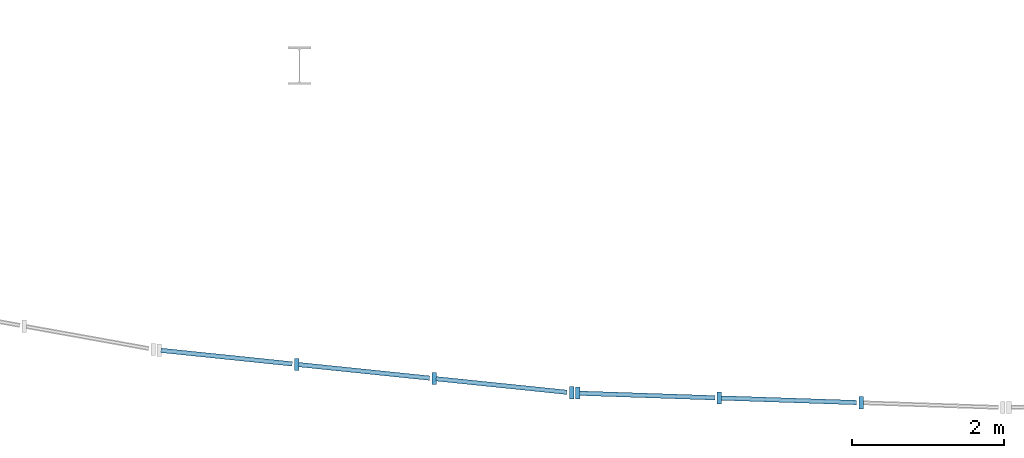
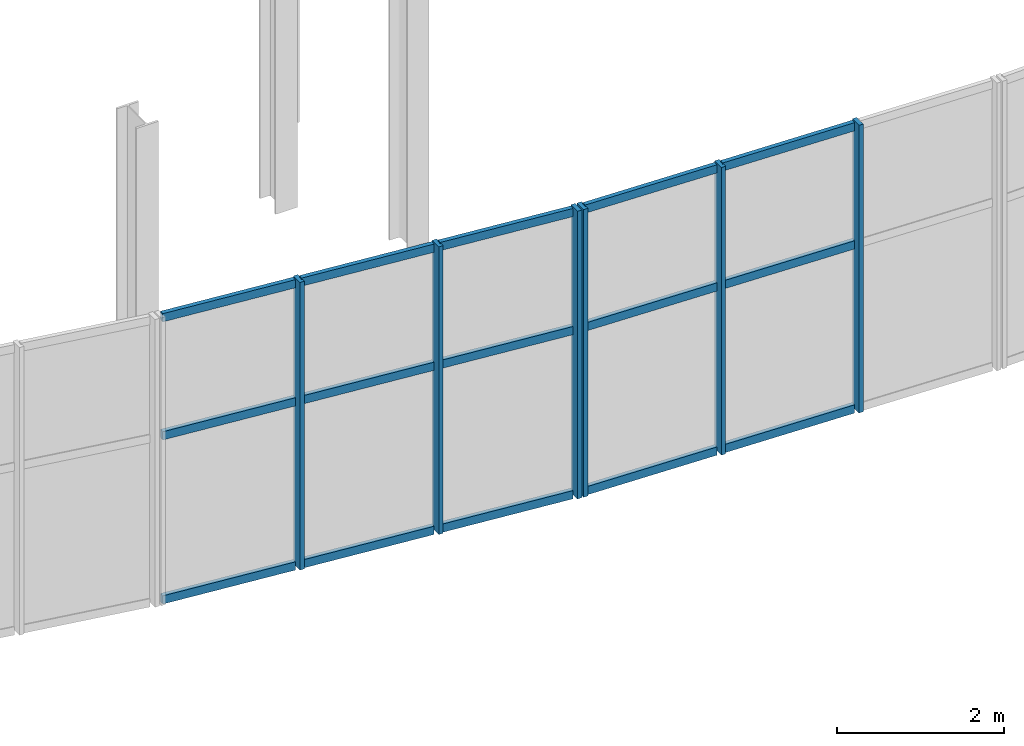
# One storey, part 34 of 89: 21 members, 2 elements without a shape of their own.
"""IFC4 building model written with IfcOpenShell, lengths in metres."""

from ifc_helpers import new_model, si_unit, direction, frame, origin, origin_2d, place, context, subcontext, project, spatial, rectangle, extrude, material, material_profile, profile_set, type_object, element, aggregate, save


model = new_model("IFC4")

# Units and contexts
model_context = context("Model", 3, precision=1e-05, world=origin(), true_north=direction((0.0, 1.0)))
body_context = subcontext(model_context, "Body", "Model", "MODEL_VIEW")
ifc_project = project(units=[si_unit("LENGTHUNIT", "METRE"), si_unit("AREAUNIT", "SQUARE_METRE"), si_unit("VOLUMEUNIT", "CUBIC_METRE"), si_unit("PLANEANGLEUNIT", "RADIAN"), si_unit("MASSUNIT", "GRAM", prefix="KILO"), si_unit("THERMODYNAMICTEMPERATUREUNIT", "KELVIN"), si_unit("POWERUNIT", "WATT")], contexts=[model_context])

# Site, building, storey
site_placement = place(None, origin())
site = spatial("IfcSite", under=ifc_project, at=site_placement, CompositionType="ELEMENT")
building_placement = place(site_placement, origin())
building = spatial("IfcBuilding", under=site, at=building_placement, Name="Solmara Park Aquatics Centre", CompositionType="ELEMENT")
storey_placement = place(building_placement, frame((0.0, 0.0, 5.39990234375)))
storey = spatial("IfcBuildingStorey", under=building, at=storey_placement, Name="L01", CompositionType="ELEMENT", Elevation=5.39990234375)

# Curtain wall, members
ifc_material_1 = material(Name="Anodised Aluminium Curtain Wall Framing", Category="aluminium")
curtain_wall_type = type_object("IfcCurtainWallType", Name="ARC-CW-SYS04", PredefinedType="USERDEFINED", material=ifc_material_1)
curtain_wall_1_placement = place(storey_placement, origin())
curtain_wall_1 = element("IfcCurtainWall", 1, at=curtain_wall_1_placement, inside=storey, type_object=curtain_wall_type, Name="Curtain Wall CW-041", ObjectType="CURTAIN WALL", PredefinedType="USERDEFINED")
ifc_material_2 = material(Name="Anodised Aluminium Alloy 6063-T6", Category="aluminium")
ifc_material_profile_1 = material_profile(ifc_material_2, rectangle(XDim=0.06005859375, YDim=0.159912109375, at=origin_2d()), Name="ALU MULLION 60x160")
ifc_profile_set_1 = profile_set([ifc_material_profile_1], Name="Anodised Aluminium Alloy 6063-T6")
member_type_1 = type_object("IfcMemberType", Name="ARC-CWM-60x160", PredefinedType="MULLION", material=ifc_profile_set_1)
member_1_placement = place(storey_placement, frame((119.96435546875, 0.569091796875, 0.0), z_axis=(0.0, 0.0, 1.0), x_axis=(1.0, 0.0, 0.0)))
member_1 = element("IfcMember", 2, at=member_1_placement, type_object=member_type_1, Name="CW-041 mullion 2", PredefinedType="MULLION", context=body_context, shape_type="SweptSolid", body=[
    extrude(rectangle(XDim=0.06005859375, YDim=0.159912109375, at=origin_2d()), origin(), (0.0, 0.0, 1.0), 4.2001953125),
])
member_2_placement = place(storey_placement, frame((121.773193359375, 0.38232421875, 0.0), z_axis=(0.0, 0.0, 1.0), x_axis=(1.0, 0.0, 0.0)))
member_2 = element("IfcMember", 3, at=member_2_placement, type_object=member_type_1, Name="CW-041 mullion 3", PredefinedType="MULLION", context=body_context, shape_type="SweptSolid", body=[
    extrude(rectangle(XDim=0.06005859375, YDim=0.159912109375, at=origin_2d()), origin(), (0.0, 0.0, 1.0), 4.2001953125),
])
member_3_placement = place(storey_placement, frame((123.581787109375, 0.195556640625, 0.0), z_axis=(0.0, 0.0, 1.0), x_axis=(1.0, 0.0, 0.0)))
member_3 = element("IfcMember", 4, at=member_3_placement, type_object=member_type_1, Name="CW-041 mullion 4", PredefinedType="MULLION", context=body_context, shape_type="SweptSolid", body=[
    extrude(rectangle(XDim=0.06005859375, YDim=0.159912109375, at=origin_2d()), origin(), (0.0, 0.0, 1.0), 4.2001953125),
])

curtain_wall_2_placement = place(storey_placement, origin())
curtain_wall_2 = element("IfcCurtainWall", 5, at=curtain_wall_2_placement, inside=storey, type_object=curtain_wall_type, Name="Curtain Wall CW-044", ObjectType="CURTAIN WALL", PredefinedType="USERDEFINED")
member_4_placement = place(storey_placement, frame((123.66162109375, 0.190185546875, 0.0), z_axis=(0.0, 0.0, 1.0), x_axis=(1.0, 0.0, 0.0)))
member_4 = element("IfcMember", 6, at=member_4_placement, type_object=member_type_1, Name="CW-044 mullion 1", PredefinedType="MULLION", context=body_context, shape_type="SweptSolid", body=[
    extrude(rectangle(XDim=0.06005859375, YDim=0.159912109375, at=origin_2d()), origin(), (0.0, 0.0, 1.0), 4.2001953125),
])
member_5_placement = place(storey_placement, frame((125.52783203125, 0.127197265625, 0.0), z_axis=(0.0, 0.0, 1.0), x_axis=(1.0, 0.0, 0.0)))
member_5 = element("IfcMember", 7, at=member_5_placement, type_object=member_type_1, Name="CW-044 mullion 2", PredefinedType="MULLION", context=body_context, shape_type="SweptSolid", body=[
    extrude(rectangle(XDim=0.06005859375, YDim=0.159912109375, at=origin_2d()), origin(), (0.0, 0.0, 1.0), 4.2001953125),
])
member_6_placement = place(storey_placement, frame((127.393798828125, 0.064208984375, 0.0), z_axis=(0.0, 0.0, 1.0), x_axis=(1.0, 0.0, 0.0)))
member_6 = element("IfcMember", 8, at=member_6_placement, type_object=member_type_1, Name="CW-044 mullion 3", PredefinedType="MULLION", context=body_context, shape_type="SweptSolid", body=[
    extrude(rectangle(XDim=0.06005859375, YDim=0.159912109375, at=origin_2d()), origin(), (0.0, 0.0, 1.0), 4.2001953125),
])

# Member
ifc_material_profile_2 = material_profile(ifc_material_2, rectangle(XDim=0.06005859375, YDim=0.1201171875, at=origin_2d()), Name="ALU TRANSOM 60x120")
ifc_profile_set_2 = profile_set([ifc_material_profile_2], Name="Anodised Aluminium Alloy 6063-T6")
member_type_2 = type_object("IfcMemberType", Name="ARC-CWT-60x120", PredefinedType="USERDEFINED", material=ifc_profile_set_2)
member_7_placement = place(storey_placement, frame((118.175537109375, 0.753662109375, 0.0400390625), z_axis=(0.994716548008, -0.102659578793, 0.0), x_axis=(0.102659578793, 0.994716548008, 0.0)))
member_7 = element("IfcMember", 9, at=member_7_placement, type_object=member_type_2, Name="CW-041 transom 1", ObjectType="TRANSOM", PredefinedType="USERDEFINED", context=body_context, shape_type="SweptSolid", body=[
    extrude(rectangle(XDim=0.06005859375, YDim=0.1201171875, at=origin_2d()), origin(), (0.0, 0.0, 1.0), 1.738525390625),
])

member_8_placement = place(storey_placement, frame((118.175537109375, 0.753662109375, 2.43603515625), z_axis=(0.994716548008, -0.102659578793, 0.0), x_axis=(0.102659578793, 0.994716548008, 0.0)))
member_8 = element("IfcMember", 10, at=member_8_placement, type_object=member_type_2, Name="CW-041 transom 2", ObjectType="TRANSOM", PredefinedType="USERDEFINED", context=body_context, shape_type="SweptSolid", body=[
    extrude(rectangle(XDim=0.06005859375, YDim=0.1201171875, at=origin_2d()), origin(), (0.0, 0.0, 1.0), 1.738525390625),
])

member_9_placement = place(storey_placement, frame((118.175537109375, 0.753662109375, 4.16015625), z_axis=(0.994716548008, -0.102659578793, 0.0), x_axis=(0.102659578793, 0.994716548008, 0.0)))
member_9 = element("IfcMember", 11, at=member_9_placement, type_object=member_type_2, Name="CW-041 transom 3", ObjectType="TRANSOM", PredefinedType="USERDEFINED", context=body_context, shape_type="SweptSolid", body=[
    extrude(rectangle(XDim=0.06005859375, YDim=0.1201171875, at=origin_2d()), origin(), (0.0, 0.0, 1.0), 1.738525390625),
])

member_10_placement = place(storey_placement, frame((119.984375, 0.56689453125, 0.0400390625), z_axis=(0.994715067632, -0.102673921836, 0.0), x_axis=(0.102673921836, 0.994715067632, 0.0)))
member_10 = element("IfcMember", 12, at=member_10_placement, type_object=member_type_2, Name="CW-041 transom 4", ObjectType="TRANSOM", PredefinedType="USERDEFINED", context=body_context, shape_type="SweptSolid", body=[
    extrude(rectangle(XDim=0.06005859375, YDim=0.1201171875, at=origin_2d()), origin(), (0.0, 0.0, 1.0), 1.73828125),
])

member_11_placement = place(storey_placement, frame((119.984375, 0.56689453125, 2.43603515625), z_axis=(0.994715067632, -0.102673921836, 0.0), x_axis=(0.102673921836, 0.994715067632, 0.0)))
member_11 = element("IfcMember", 13, at=member_11_placement, type_object=member_type_2, Name="CW-041 transom 5", ObjectType="TRANSOM", PredefinedType="USERDEFINED", context=body_context, shape_type="SweptSolid", body=[
    extrude(rectangle(XDim=0.06005859375, YDim=0.1201171875, at=origin_2d()), origin(), (0.0, 0.0, 1.0), 1.73828125),
])

member_12_placement = place(storey_placement, frame((119.984375, 0.56689453125, 4.16015625), z_axis=(0.994715067632, -0.102673921836, 0.0), x_axis=(0.102673921836, 0.994715067632, 0.0)))
member_12 = element("IfcMember", 14, at=member_12_placement, type_object=member_type_2, Name="CW-041 transom 6", ObjectType="TRANSOM", PredefinedType="USERDEFINED", context=body_context, shape_type="SweptSolid", body=[
    extrude(rectangle(XDim=0.06005859375, YDim=0.1201171875, at=origin_2d()), origin(), (0.0, 0.0, 1.0), 1.73828125),
])

member_13_placement = place(storey_placement, frame((121.793212890625, 0.380126953125, 0.0400390625), z_axis=(0.994715067632, -0.102673921836, 0.0), x_axis=(0.102673921836, 0.994715067632, 0.0)))
member_13 = element("IfcMember", 15, at=member_13_placement, type_object=member_type_2, Name="CW-041 transom 7", ObjectType="TRANSOM", PredefinedType="USERDEFINED", context=body_context, shape_type="SweptSolid", body=[
    extrude(rectangle(XDim=0.06005859375, YDim=0.1201171875, at=origin_2d()), origin(), (0.0, 0.0, 1.0), 1.73828125),
])

member_14_placement = place(storey_placement, frame((121.793212890625, 0.380126953125, 2.43603515625), z_axis=(0.994715067632, -0.102673921836, 0.0), x_axis=(0.102673921836, 0.994715067632, 0.0)))
member_14 = element("IfcMember", 16, at=member_14_placement, type_object=member_type_2, Name="CW-041 transom 8", ObjectType="TRANSOM", PredefinedType="USERDEFINED", context=body_context, shape_type="SweptSolid", body=[
    extrude(rectangle(XDim=0.06005859375, YDim=0.1201171875, at=origin_2d()), origin(), (0.0, 0.0, 1.0), 1.73828125),
])

member_15_placement = place(storey_placement, frame((121.793212890625, 0.380126953125, 4.16015625), z_axis=(0.994715067632, -0.102673921836, 0.0), x_axis=(0.102673921836, 0.994715067632, 0.0)))
member_15 = element("IfcMember", 17, at=member_15_placement, type_object=member_type_2, Name="CW-041 transom 9", ObjectType="TRANSOM", PredefinedType="USERDEFINED", context=body_context, shape_type="SweptSolid", body=[
    extrude(rectangle(XDim=0.06005859375, YDim=0.1201171875, at=origin_2d()), origin(), (0.0, 0.0, 1.0), 1.73828125),
])

aggregate(curtain_wall_1, [member_1, member_2, member_3, member_7, member_8, member_9, member_10, member_11, member_12, member_13, member_14, member_15])

member_16_placement = place(storey_placement, frame((123.681640625, 0.189453125, 0.0400390625), z_axis=(0.999430563319, -0.033742393267, 0.0), x_axis=(0.033742393267, 0.999430563319, 0.0)))
member_16 = element("IfcMember", 18, at=member_16_placement, type_object=member_type_2, Name="CW-044 transom 1", ObjectType="TRANSOM", PredefinedType="USERDEFINED", context=body_context, shape_type="SweptSolid", body=[
    extrude(rectangle(XDim=0.06005859375, YDim=0.1201171875, at=origin_2d()), origin(), (0.0, 0.0, 1.0), 1.787109375),
])

member_17_placement = place(storey_placement, frame((123.681640625, 0.189453125, 2.43603515625), z_axis=(0.999430563319, -0.033742393267, 0.0), x_axis=(0.033742393267, 0.999430563319, 0.0)))
member_17 = element("IfcMember", 19, at=member_17_placement, type_object=member_type_2, Name="CW-044 transom 2", ObjectType="TRANSOM", PredefinedType="USERDEFINED", context=body_context, shape_type="SweptSolid", body=[
    extrude(rectangle(XDim=0.06005859375, YDim=0.1201171875, at=origin_2d()), origin(), (0.0, 0.0, 1.0), 1.787109375),
])

member_18_placement = place(storey_placement, frame((123.681640625, 0.189453125, 4.16015625), z_axis=(0.999430563319, -0.033742393267, 0.0), x_axis=(0.033742393267, 0.999430563319, 0.0)))
member_18 = element("IfcMember", 20, at=member_18_placement, type_object=member_type_2, Name="CW-044 transom 3", ObjectType="TRANSOM", PredefinedType="USERDEFINED", context=body_context, shape_type="SweptSolid", body=[
    extrude(rectangle(XDim=0.06005859375, YDim=0.1201171875, at=origin_2d()), origin(), (0.0, 0.0, 1.0), 1.787109375),
])

member_19_placement = place(storey_placement, frame((125.5478515625, 0.12646484375, 0.0400390625), z_axis=(0.999435160911, -0.033605938981, 0.0), x_axis=(0.033605938981, 0.999435160911, 0.0)))
member_19 = element("IfcMember", 21, at=member_19_placement, type_object=member_type_2, Name="CW-044 transom 4", ObjectType="TRANSOM", PredefinedType="USERDEFINED", context=body_context, shape_type="SweptSolid", body=[
    extrude(rectangle(XDim=0.06005859375, YDim=0.1201171875, at=origin_2d()), origin(), (0.0, 0.0, 1.0), 1.787109375),
])

member_20_placement = place(storey_placement, frame((125.5478515625, 0.12646484375, 2.43603515625), z_axis=(0.999435160911, -0.033605938981, 0.0), x_axis=(0.033605938981, 0.999435160911, 0.0)))
member_20 = element("IfcMember", 22, at=member_20_placement, type_object=member_type_2, Name="CW-044 transom 5", ObjectType="TRANSOM", PredefinedType="USERDEFINED", context=body_context, shape_type="SweptSolid", body=[
    extrude(rectangle(XDim=0.06005859375, YDim=0.1201171875, at=origin_2d()), origin(), (0.0, 0.0, 1.0), 1.787109375),
])

member_21_placement = place(storey_placement, frame((125.5478515625, 0.12646484375, 4.16015625), z_axis=(0.999435160911, -0.033605938981, 0.0), x_axis=(0.033605938981, 0.999435160911, 0.0)))
member_21 = element("IfcMember", 23, at=member_21_placement, type_object=member_type_2, Name="CW-044 transom 6", ObjectType="TRANSOM", PredefinedType="USERDEFINED", context=body_context, shape_type="SweptSolid", body=[
    extrude(rectangle(XDim=0.06005859375, YDim=0.1201171875, at=origin_2d()), origin(), (0.0, 0.0, 1.0), 1.787109375),
])

aggregate(curtain_wall_2, [member_4, member_5, member_6, member_16, member_17, member_18, member_19, member_20, member_21])

save(model, "model.ifc")
